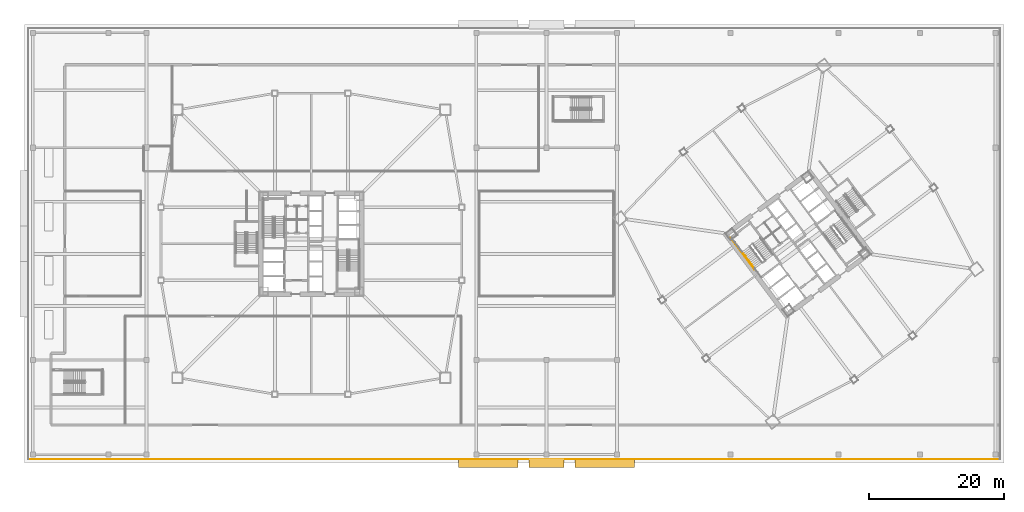
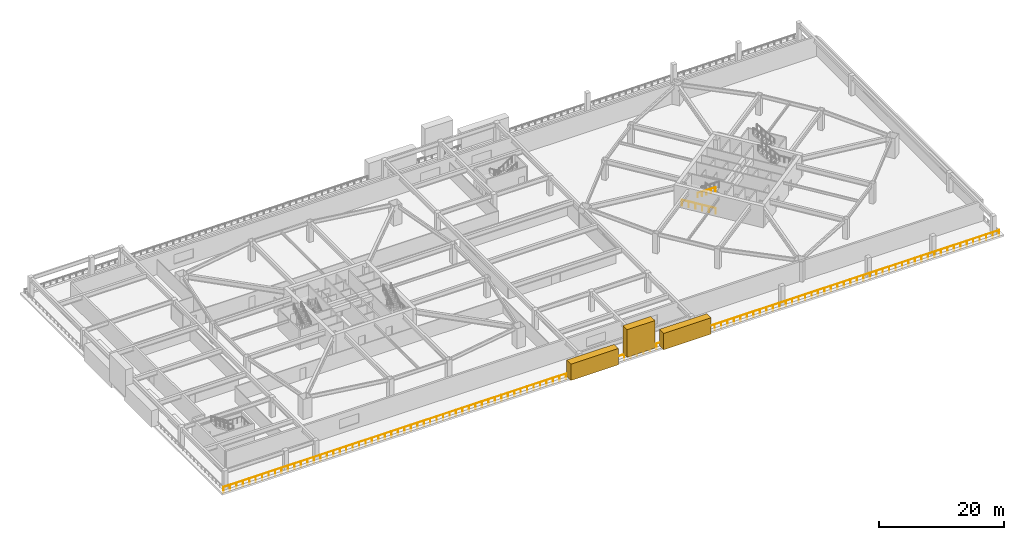
# One storey, part 16 of 20: 3 coverings, 3 railings.
"""IFC4 building model written with IfcOpenShell, lengths in metres."""

from ifc_helpers import new_model, si_unit, direction, frame, origin, origin_2d, place, context, subcontext, project, spatial, rectangle, extrude, material, layer, layer_set, type_object, element, save


model = new_model("IFC4")

# Units and contexts
model_context = context("Model", 3, precision=1e-05, world=origin(), true_north=direction((0.0, 1.0)))
body_context = subcontext(model_context, "Body", "Model", "MODEL_VIEW")
ifc_project = project(units=[si_unit("LENGTHUNIT", "METRE"), si_unit("AREAUNIT", "SQUARE_METRE"), si_unit("VOLUMEUNIT", "CUBIC_METRE"), si_unit("PLANEANGLEUNIT", "RADIAN"), si_unit("MASSUNIT", "GRAM", prefix="KILO")], contexts=[model_context])

# Site, building, storey
site_placement = place(None, origin())
site = spatial("IfcSite", under=ifc_project, at=site_placement, CompositionType="ELEMENT")
building_placement = place(site_placement, origin())
building = spatial("IfcBuilding", under=site, at=building_placement, Name="Tashvorn Skyway Center", CompositionType="ELEMENT")
storey_placement = place(building_placement, frame((0.0, 0.0, 15.60009765625)))
storey = spatial("IfcBuildingStorey", under=building, at=storey_placement, Name="L03", CompositionType="ELEMENT", Elevation=15.60009765625)

# Coverings
ifc_material_1 = material(Name="Precast concrete C40/50", Category="concrete")
ifc_layer = layer(ifc_material_1, 0.35009765625)
ifc_layer_set = layer_set([ifc_layer], Name="Precast concrete C40/50")
covering_type = type_object("IfcCoveringType", Name="COV-STONE-TRIM", PredefinedType="CLADDING", material=ifc_layer_set)
for number, where, z_axis, x_axis, name in (
    (1, (68.199951171875, -0.419921875, 0.39990234375), (0.0, 0.0, 1.0), (1.0, 0.0, 0.0), "Postmodern Station Split-Pediment SOUTH L"),
    (2, (85.39990234375, -0.419921875, 0.39990234375), (0.0, 0.0, 1.0), (1.0, 0.0, 0.0), "Postmodern Station Split-Pediment SOUTH R"),
):
    element("IfcCovering", number, at=place(storey_placement, frame(where, z_axis=z_axis, x_axis=x_axis)), inside=storey, type_object=covering_type, Name=name, PredefinedType="CLADDING", context=body_context, shape_type="SweptSolid", body=[
        extrude(rectangle(XDim=8.800048828125, YDim=1.35009765625, at=origin_2d()), origin(), (0.0, 0.0, 1.0), 3.199951171875),
    ])
covering_placement = place(storey_placement, frame((76.800048828125, -0.419921875, 1.300048828125), z_axis=(0.0, 0.0, 1.0), x_axis=(1.0, 0.0, 0.0)))
element("IfcCovering", 3, at=covering_placement, inside=storey, type_object=covering_type, Name="Postmodern Station Split-Pediment SOUTH KEY", PredefinedType="CLADDING", context=body_context, shape_type="SweptSolid", body=[
    extrude(rectangle(XDim=5.199951171875, YDim=1.35009765625, at=origin_2d()), origin(), (0.0, 0.0, 1.0), 5.39990234375),
])

# Railings
ifc_material_2 = material(Name="Galvanized steel S355", Category="steel")
railing_type_1 = type_object("IfcRailingType", Name="RAIL-GUARD-1120", PredefinedType="GUARDRAIL", material=ifc_material_2)
railing_1_placement = place(storey_placement, frame((0.1201171875, 0.1201171875, 0.0)))
element("IfcRailing", 4, at=railing_1_placement, inside=storey, type_object=railing_type_1, Name="L03 Stepped Podium Colonnade Terrace Guardrail 01", PredefinedType="GUARDRAIL", context=body_context, shape_type="SweptSolid", body=[
    extrude(rectangle(XDim=0.048095703125, YDim=0.048095703125, at=origin_2d()), frame((0.0, 0.0, 1.09619140625), z_axis=(1.0, 0.0, 0.0), x_axis=(0.0, 1.0, 0.0)), (0.0, 0.0, 1.0), 143.759765625),
    extrude(rectangle(XDim=0.0419921875, YDim=0.0419921875, at=origin_2d()), origin(), (0.0, 0.0, 1.0), 1.072021484375),
    extrude(rectangle(XDim=0.0419921875, YDim=0.0419921875, at=origin_2d()), frame((1.197998046875, 0.0, 0.0)), (0.0, 0.0, 1.0), 1.072021484375),
    extrude(rectangle(XDim=0.0419921875, YDim=0.0419921875, at=origin_2d()), frame((2.39599609375, 0.0, 0.0)), (0.0, 0.0, 1.0), 1.072021484375),
    extrude(rectangle(XDim=0.0419921875, YDim=0.0419921875, at=origin_2d()), frame((3.593994140625, 0.0, 0.0)), (0.0, 0.0, 1.0), 1.072021484375),
    extrude(rectangle(XDim=0.0419921875, YDim=0.0419921875, at=origin_2d()), frame((4.7919921875, 0.0, 0.0)), (0.0, 0.0, 1.0), 1.072021484375),
    extrude(rectangle(XDim=0.0419921875, YDim=0.0419921875, at=origin_2d()), frame((5.989990234375, 0.0, 0.0)), (0.0, 0.0, 1.0), 1.072021484375),
    extrude(rectangle(XDim=0.0419921875, YDim=0.0419921875, at=origin_2d()), frame((7.18798828125, 0.0, 0.0)), (0.0, 0.0, 1.0), 1.072021484375),
    extrude(rectangle(XDim=0.0419921875, YDim=0.0419921875, at=origin_2d()), frame((8.385986328125, 0.0, 0.0)), (0.0, 0.0, 1.0), 1.072021484375),
    extrude(rectangle(XDim=0.0419921875, YDim=0.0419921875, at=origin_2d()), frame((9.583984375, 0.0, 0.0)), (0.0, 0.0, 1.0), 1.072021484375),
    extrude(rectangle(XDim=0.0419921875, YDim=0.0419921875, at=origin_2d()), frame((10.781982421875, 0.0, 0.0)), (0.0, 0.0, 1.0), 1.072021484375),
    extrude(rectangle(XDim=0.0419921875, YDim=0.0419921875, at=origin_2d()), frame((11.97998046875, 0.0, 0.0)), (0.0, 0.0, 1.0), 1.072021484375),
    extrude(rectangle(XDim=0.0419921875, YDim=0.0419921875, at=origin_2d()), frame((13.177978515625, 0.0, 0.0)), (0.0, 0.0, 1.0), 1.072021484375),
    extrude(rectangle(XDim=0.0419921875, YDim=0.0419921875, at=origin_2d()), frame((14.3759765625, 0.0, 0.0)), (0.0, 0.0, 1.0), 1.072021484375),
    extrude(rectangle(XDim=0.0419921875, YDim=0.0419921875, at=origin_2d()), frame((15.573974609375, 0.0, 0.0)), (0.0, 0.0, 1.0), 1.072021484375),
    extrude(rectangle(XDim=0.0419921875, YDim=0.0419921875, at=origin_2d()), frame((16.77197265625, 0.0, 0.0)), (0.0, 0.0, 1.0), 1.072021484375),
    extrude(rectangle(XDim=0.0419921875, YDim=0.0419921875, at=origin_2d()), frame((17.969970703125, 0.0, 0.0)), (0.0, 0.0, 1.0), 1.072021484375),
    extrude(rectangle(XDim=0.0419921875, YDim=0.0419921875, at=origin_2d()), frame((19.16796875, 0.0, 0.0)), (0.0, 0.0, 1.0), 1.072021484375),
    extrude(rectangle(XDim=0.0419921875, YDim=0.0419921875, at=origin_2d()), frame((20.365966796875, 0.0, 0.0)), (0.0, 0.0, 1.0), 1.072021484375),
    extrude(rectangle(XDim=0.0419921875, YDim=0.0419921875, at=origin_2d()), frame((21.56396484375, 0.0, 0.0)), (0.0, 0.0, 1.0), 1.072021484375),
    extrude(rectangle(XDim=0.0419921875, YDim=0.0419921875, at=origin_2d()), frame((22.761962890625, 0.0, 0.0)), (0.0, 0.0, 1.0), 1.072021484375),
    extrude(rectangle(XDim=0.0419921875, YDim=0.0419921875, at=origin_2d()), frame((23.9599609375, 0.0, 0.0)), (0.0, 0.0, 1.0), 1.072021484375),
    extrude(rectangle(XDim=0.0419921875, YDim=0.0419921875, at=origin_2d()), frame((25.157958984375, 0.0, 0.0)), (0.0, 0.0, 1.0), 1.072021484375),
    extrude(rectangle(XDim=0.0419921875, YDim=0.0419921875, at=origin_2d()), frame((26.35595703125, 0.0, 0.0)), (0.0, 0.0, 1.0), 1.072021484375),
    extrude(rectangle(XDim=0.0419921875, YDim=0.0419921875, at=origin_2d()), frame((27.553955078125, 0.0, 0.0)), (0.0, 0.0, 1.0), 1.072021484375),
    extrude(rectangle(XDim=0.0419921875, YDim=0.0419921875, at=origin_2d()), frame((28.751953125, 0.0, 0.0)), (0.0, 0.0, 1.0), 1.072021484375),
    extrude(rectangle(XDim=0.0419921875, YDim=0.0419921875, at=origin_2d()), frame((29.949951171875, 0.0, 0.0)), (0.0, 0.0, 1.0), 1.072021484375),
    extrude(rectangle(XDim=0.0419921875, YDim=0.0419921875, at=origin_2d()), frame((31.14794921875, 0.0, 0.0)), (0.0, 0.0, 1.0), 1.072021484375),
    extrude(rectangle(XDim=0.0419921875, YDim=0.0419921875, at=origin_2d()), frame((32.345947265625, 0.0, 0.0)), (0.0, 0.0, 1.0), 1.072021484375),
    extrude(rectangle(XDim=0.0419921875, YDim=0.0419921875, at=origin_2d()), frame((33.5439453125, 0.0, 0.0)), (0.0, 0.0, 1.0), 1.072021484375),
    extrude(rectangle(XDim=0.0419921875, YDim=0.0419921875, at=origin_2d()), frame((34.741943359375, 0.0, 0.0)), (0.0, 0.0, 1.0), 1.072021484375),
    extrude(rectangle(XDim=0.0419921875, YDim=0.0419921875, at=origin_2d()), frame((35.93994140625, 0.0, 0.0)), (0.0, 0.0, 1.0), 1.072021484375),
    extrude(rectangle(XDim=0.0419921875, YDim=0.0419921875, at=origin_2d()), frame((37.137939453125, 0.0, 0.0)), (0.0, 0.0, 1.0), 1.072021484375),
    extrude(rectangle(XDim=0.0419921875, YDim=0.0419921875, at=origin_2d()), frame((38.3359375, 0.0, 0.0)), (0.0, 0.0, 1.0), 1.072021484375),
    extrude(rectangle(XDim=0.0419921875, YDim=0.0419921875, at=origin_2d()), frame((39.533935546875, 0.0, 0.0)), (0.0, 0.0, 1.0), 1.072021484375),
    extrude(rectangle(XDim=0.0419921875, YDim=0.0419921875, at=origin_2d()), frame((40.73193359375, 0.0, 0.0)), (0.0, 0.0, 1.0), 1.072021484375),
    extrude(rectangle(XDim=0.0419921875, YDim=0.0419921875, at=origin_2d()), frame((41.929931640625, 0.0, 0.0)), (0.0, 0.0, 1.0), 1.072021484375),
    extrude(rectangle(XDim=0.0419921875, YDim=0.0419921875, at=origin_2d()), frame((43.1279296875, 0.0, 0.0)), (0.0, 0.0, 1.0), 1.072021484375),
    extrude(rectangle(XDim=0.0419921875, YDim=0.0419921875, at=origin_2d()), frame((44.325927734375, 0.0, 0.0)), (0.0, 0.0, 1.0), 1.072021484375),
    extrude(rectangle(XDim=0.0419921875, YDim=0.0419921875, at=origin_2d()), frame((45.52392578125, 0.0, 0.0)), (0.0, 0.0, 1.0), 1.072021484375),
    extrude(rectangle(XDim=0.0419921875, YDim=0.0419921875, at=origin_2d()), frame((46.721923828125, 0.0, 0.0)), (0.0, 0.0, 1.0), 1.072021484375),
    extrude(rectangle(XDim=0.0419921875, YDim=0.0419921875, at=origin_2d()), frame((47.919921875, 0.0, 0.0)), (0.0, 0.0, 1.0), 1.072021484375),
    extrude(rectangle(XDim=0.0419921875, YDim=0.0419921875, at=origin_2d()), frame((49.117919921875, 0.0, 0.0)), (0.0, 0.0, 1.0), 1.072021484375),
    extrude(rectangle(XDim=0.0419921875, YDim=0.0419921875, at=origin_2d()), frame((50.31591796875, 0.0, 0.0)), (0.0, 0.0, 1.0), 1.072021484375),
    extrude(rectangle(XDim=0.0419921875, YDim=0.0419921875, at=origin_2d()), frame((51.513916015625, 0.0, 0.0)), (0.0, 0.0, 1.0), 1.072021484375),
    extrude(rectangle(XDim=0.0419921875, YDim=0.0419921875, at=origin_2d()), frame((52.7119140625, 0.0, 0.0)), (0.0, 0.0, 1.0), 1.072021484375),
    extrude(rectangle(XDim=0.0419921875, YDim=0.0419921875, at=origin_2d()), frame((53.909912109375, 0.0, 0.0)), (0.0, 0.0, 1.0), 1.072021484375),
    extrude(rectangle(XDim=0.0419921875, YDim=0.0419921875, at=origin_2d()), frame((55.10791015625, 0.0, 0.0)), (0.0, 0.0, 1.0), 1.072021484375),
    extrude(rectangle(XDim=0.0419921875, YDim=0.0419921875, at=origin_2d()), frame((56.305908203125, 0.0, 0.0)), (0.0, 0.0, 1.0), 1.072021484375),
    extrude(rectangle(XDim=0.0419921875, YDim=0.0419921875, at=origin_2d()), frame((57.50390625, 0.0, 0.0)), (0.0, 0.0, 1.0), 1.072021484375),
    extrude(rectangle(XDim=0.0419921875, YDim=0.0419921875, at=origin_2d()), frame((58.701904296875, 0.0, 0.0)), (0.0, 0.0, 1.0), 1.072021484375),
    extrude(rectangle(XDim=0.0419921875, YDim=0.0419921875, at=origin_2d()), frame((59.89990234375, 0.0, 0.0)), (0.0, 0.0, 1.0), 1.072021484375),
    extrude(rectangle(XDim=0.0419921875, YDim=0.0419921875, at=origin_2d()), frame((61.097900390625, 0.0, 0.0)), (0.0, 0.0, 1.0), 1.072021484375),
    extrude(rectangle(XDim=0.0419921875, YDim=0.0419921875, at=origin_2d()), frame((62.2958984375, 0.0, 0.0)), (0.0, 0.0, 1.0), 1.072021484375),
    extrude(rectangle(XDim=0.0419921875, YDim=0.0419921875, at=origin_2d()), frame((63.493896484375, 0.0, 0.0)), (0.0, 0.0, 1.0), 1.072021484375),
    extrude(rectangle(XDim=0.0419921875, YDim=0.0419921875, at=origin_2d()), frame((64.69189453125, 0.0, 0.0)), (0.0, 0.0, 1.0), 1.072021484375),
    extrude(rectangle(XDim=0.0419921875, YDim=0.0419921875, at=origin_2d()), frame((65.889892578125, 0.0, 0.0)), (0.0, 0.0, 1.0), 1.072021484375),
    extrude(rectangle(XDim=0.0419921875, YDim=0.0419921875, at=origin_2d()), frame((67.087890625, 0.0, 0.0)), (0.0, 0.0, 1.0), 1.072021484375),
    extrude(rectangle(XDim=0.0419921875, YDim=0.0419921875, at=origin_2d()), frame((68.285888671875, 0.0, 0.0)), (0.0, 0.0, 1.0), 1.072021484375),
    extrude(rectangle(XDim=0.0419921875, YDim=0.0419921875, at=origin_2d()), frame((69.48388671875, 0.0, 0.0)), (0.0, 0.0, 1.0), 1.072021484375),
    extrude(rectangle(XDim=0.0419921875, YDim=0.0419921875, at=origin_2d()), frame((70.681884765625, 0.0, 0.0)), (0.0, 0.0, 1.0), 1.072021484375),
    extrude(rectangle(XDim=0.0419921875, YDim=0.0419921875, at=origin_2d()), frame((71.8798828125, 0.0, 0.0)), (0.0, 0.0, 1.0), 1.072021484375),
    extrude(rectangle(XDim=0.0419921875, YDim=0.0419921875, at=origin_2d()), frame((73.077880859375, 0.0, 0.0)), (0.0, 0.0, 1.0), 1.072021484375),
    extrude(rectangle(XDim=0.0419921875, YDim=0.0419921875, at=origin_2d()), frame((74.27587890625, 0.0, 0.0)), (0.0, 0.0, 1.0), 1.072021484375),
    extrude(rectangle(XDim=0.0419921875, YDim=0.0419921875, at=origin_2d()), frame((75.473876953125, 0.0, 0.0)), (0.0, 0.0, 1.0), 1.072021484375),
    extrude(rectangle(XDim=0.0419921875, YDim=0.0419921875, at=origin_2d()), frame((76.671875, 0.0, 0.0)), (0.0, 0.0, 1.0), 1.072021484375),
    extrude(rectangle(XDim=0.0419921875, YDim=0.0419921875, at=origin_2d()), frame((77.869873046875, 0.0, 0.0)), (0.0, 0.0, 1.0), 1.072021484375),
    extrude(rectangle(XDim=0.0419921875, YDim=0.0419921875, at=origin_2d()), frame((79.06787109375, 0.0, 0.0)), (0.0, 0.0, 1.0), 1.072021484375),
    extrude(rectangle(XDim=0.0419921875, YDim=0.0419921875, at=origin_2d()), frame((80.265869140625, 0.0, 0.0)), (0.0, 0.0, 1.0), 1.072021484375),
    extrude(rectangle(XDim=0.0419921875, YDim=0.0419921875, at=origin_2d()), frame((81.4638671875, 0.0, 0.0)), (0.0, 0.0, 1.0), 1.072021484375),
    extrude(rectangle(XDim=0.0419921875, YDim=0.0419921875, at=origin_2d()), frame((82.661865234375, 0.0, 0.0)), (0.0, 0.0, 1.0), 1.072021484375),
    extrude(rectangle(XDim=0.0419921875, YDim=0.0419921875, at=origin_2d()), frame((83.85986328125, 0.0, 0.0)), (0.0, 0.0, 1.0), 1.072021484375),
    extrude(rectangle(XDim=0.0419921875, YDim=0.0419921875, at=origin_2d()), frame((85.057861328125, 0.0, 0.0)), (0.0, 0.0, 1.0), 1.072021484375),
    extrude(rectangle(XDim=0.0419921875, YDim=0.0419921875, at=origin_2d()), frame((86.255859375, 0.0, 0.0)), (0.0, 0.0, 1.0), 1.072021484375),
    extrude(rectangle(XDim=0.0419921875, YDim=0.0419921875, at=origin_2d()), frame((87.453857421875, 0.0, 0.0)), (0.0, 0.0, 1.0), 1.072021484375),
    extrude(rectangle(XDim=0.0419921875, YDim=0.0419921875, at=origin_2d()), frame((88.65185546875, 0.0, 0.0)), (0.0, 0.0, 1.0), 1.072021484375),
    extrude(rectangle(XDim=0.0419921875, YDim=0.0419921875, at=origin_2d()), frame((89.849853515625, 0.0, 0.0)), (0.0, 0.0, 1.0), 1.072021484375),
    extrude(rectangle(XDim=0.0419921875, YDim=0.0419921875, at=origin_2d()), frame((91.0478515625, 0.0, 0.0)), (0.0, 0.0, 1.0), 1.072021484375),
    extrude(rectangle(XDim=0.0419921875, YDim=0.0419921875, at=origin_2d()), frame((92.245849609375, 0.0, 0.0)), (0.0, 0.0, 1.0), 1.072021484375),
    extrude(rectangle(XDim=0.0419921875, YDim=0.0419921875, at=origin_2d()), frame((93.44384765625, 0.0, 0.0)), (0.0, 0.0, 1.0), 1.072021484375),
    extrude(rectangle(XDim=0.0419921875, YDim=0.0419921875, at=origin_2d()), frame((94.641845703125, 0.0, 0.0)), (0.0, 0.0, 1.0), 1.072021484375),
    extrude(rectangle(XDim=0.0419921875, YDim=0.0419921875, at=origin_2d()), frame((95.83984375, 0.0, 0.0)), (0.0, 0.0, 1.0), 1.072021484375),
    extrude(rectangle(XDim=0.0419921875, YDim=0.0419921875, at=origin_2d()), frame((97.037841796875, 0.0, 0.0)), (0.0, 0.0, 1.0), 1.072021484375),
    extrude(rectangle(XDim=0.0419921875, YDim=0.0419921875, at=origin_2d()), frame((98.23583984375, 0.0, 0.0)), (0.0, 0.0, 1.0), 1.072021484375),
    extrude(rectangle(XDim=0.0419921875, YDim=0.0419921875, at=origin_2d()), frame((99.433837890625, 0.0, 0.0)), (0.0, 0.0, 1.0), 1.072021484375),
    extrude(rectangle(XDim=0.0419921875, YDim=0.0419921875, at=origin_2d()), frame((100.6318359375, 0.0, 0.0)), (0.0, 0.0, 1.0), 1.072021484375),
    extrude(rectangle(XDim=0.0419921875, YDim=0.0419921875, at=origin_2d()), frame((101.829833984375, 0.0, 0.0)), (0.0, 0.0, 1.0), 1.072021484375),
    extrude(rectangle(XDim=0.0419921875, YDim=0.0419921875, at=origin_2d()), frame((103.02783203125, 0.0, 0.0)), (0.0, 0.0, 1.0), 1.072021484375),
    extrude(rectangle(XDim=0.0419921875, YDim=0.0419921875, at=origin_2d()), frame((104.225830078125, 0.0, 0.0)), (0.0, 0.0, 1.0), 1.072021484375),
    extrude(rectangle(XDim=0.0419921875, YDim=0.0419921875, at=origin_2d()), frame((105.423828125, 0.0, 0.0)), (0.0, 0.0, 1.0), 1.072021484375),
    extrude(rectangle(XDim=0.0419921875, YDim=0.0419921875, at=origin_2d()), frame((106.621826171875, 0.0, 0.0)), (0.0, 0.0, 1.0), 1.072021484375),
    extrude(rectangle(XDim=0.0419921875, YDim=0.0419921875, at=origin_2d()), frame((107.81982421875, 0.0, 0.0)), (0.0, 0.0, 1.0), 1.072021484375),
    extrude(rectangle(XDim=0.0419921875, YDim=0.0419921875, at=origin_2d()), frame((109.017822265625, 0.0, 0.0)), (0.0, 0.0, 1.0), 1.072021484375),
    extrude(rectangle(XDim=0.0419921875, YDim=0.0419921875, at=origin_2d()), frame((110.2158203125, 0.0, 0.0)), (0.0, 0.0, 1.0), 1.072021484375),
    extrude(rectangle(XDim=0.0419921875, YDim=0.0419921875, at=origin_2d()), frame((111.413818359375, 0.0, 0.0)), (0.0, 0.0, 1.0), 1.072021484375),
    extrude(rectangle(XDim=0.0419921875, YDim=0.0419921875, at=origin_2d()), frame((112.61181640625, 0.0, 0.0)), (0.0, 0.0, 1.0), 1.072021484375),
    extrude(rectangle(XDim=0.0419921875, YDim=0.0419921875, at=origin_2d()), frame((113.809814453125, 0.0, 0.0)), (0.0, 0.0, 1.0), 1.072021484375),
    extrude(rectangle(XDim=0.0419921875, YDim=0.0419921875, at=origin_2d()), frame((115.0078125, 0.0, 0.0)), (0.0, 0.0, 1.0), 1.072021484375),
    extrude(rectangle(XDim=0.0419921875, YDim=0.0419921875, at=origin_2d()), frame((116.205810546875, 0.0, 0.0)), (0.0, 0.0, 1.0), 1.072021484375),
    extrude(rectangle(XDim=0.0419921875, YDim=0.0419921875, at=origin_2d()), frame((117.40380859375, 0.0, 0.0)), (0.0, 0.0, 1.0), 1.072021484375),
    extrude(rectangle(XDim=0.0419921875, YDim=0.0419921875, at=origin_2d()), frame((118.601806640625, 0.0, 0.0)), (0.0, 0.0, 1.0), 1.072021484375),
    extrude(rectangle(XDim=0.0419921875, YDim=0.0419921875, at=origin_2d()), frame((119.7998046875, 0.0, 0.0)), (0.0, 0.0, 1.0), 1.072021484375),
    extrude(rectangle(XDim=0.0419921875, YDim=0.0419921875, at=origin_2d()), frame((120.997802734375, 0.0, 0.0)), (0.0, 0.0, 1.0), 1.072021484375),
    extrude(rectangle(XDim=0.0419921875, YDim=0.0419921875, at=origin_2d()), frame((122.19580078125, 0.0, 0.0)), (0.0, 0.0, 1.0), 1.072021484375),
    extrude(rectangle(XDim=0.0419921875, YDim=0.0419921875, at=origin_2d()), frame((123.393798828125, 0.0, 0.0)), (0.0, 0.0, 1.0), 1.072021484375),
    extrude(rectangle(XDim=0.0419921875, YDim=0.0419921875, at=origin_2d()), frame((124.591796875, 0.0, 0.0)), (0.0, 0.0, 1.0), 1.072021484375),
    extrude(rectangle(XDim=0.0419921875, YDim=0.0419921875, at=origin_2d()), frame((125.789794921875, 0.0, 0.0)), (0.0, 0.0, 1.0), 1.072021484375),
    extrude(rectangle(XDim=0.0419921875, YDim=0.0419921875, at=origin_2d()), frame((126.98779296875, 0.0, 0.0)), (0.0, 0.0, 1.0), 1.072021484375),
    extrude(rectangle(XDim=0.0419921875, YDim=0.0419921875, at=origin_2d()), frame((128.185791015625, 0.0, 0.0)), (0.0, 0.0, 1.0), 1.072021484375),
    extrude(rectangle(XDim=0.0419921875, YDim=0.0419921875, at=origin_2d()), frame((129.3837890625, 0.0, 0.0)), (0.0, 0.0, 1.0), 1.072021484375),
    extrude(rectangle(XDim=0.0419921875, YDim=0.0419921875, at=origin_2d()), frame((130.581787109375, 0.0, 0.0)), (0.0, 0.0, 1.0), 1.072021484375),
    extrude(rectangle(XDim=0.0419921875, YDim=0.0419921875, at=origin_2d()), frame((131.77978515625, 0.0, 0.0)), (0.0, 0.0, 1.0), 1.072021484375),
    extrude(rectangle(XDim=0.0419921875, YDim=0.0419921875, at=origin_2d()), frame((132.977783203125, 0.0, 0.0)), (0.0, 0.0, 1.0), 1.072021484375),
    extrude(rectangle(XDim=0.0419921875, YDim=0.0419921875, at=origin_2d()), frame((134.17578125, 0.0, 0.0)), (0.0, 0.0, 1.0), 1.072021484375),
    extrude(rectangle(XDim=0.0419921875, YDim=0.0419921875, at=origin_2d()), frame((135.373779296875, 0.0, 0.0)), (0.0, 0.0, 1.0), 1.072021484375),
    extrude(rectangle(XDim=0.0419921875, YDim=0.0419921875, at=origin_2d()), frame((136.57177734375, 0.0, 0.0)), (0.0, 0.0, 1.0), 1.072021484375),
    extrude(rectangle(XDim=0.0419921875, YDim=0.0419921875, at=origin_2d()), frame((137.769775390625, 0.0, 0.0)), (0.0, 0.0, 1.0), 1.072021484375),
    extrude(rectangle(XDim=0.0419921875, YDim=0.0419921875, at=origin_2d()), frame((138.9677734375, 0.0, 0.0)), (0.0, 0.0, 1.0), 1.072021484375),
    extrude(rectangle(XDim=0.0419921875, YDim=0.0419921875, at=origin_2d()), frame((140.165771484375, 0.0, 0.0)), (0.0, 0.0, 1.0), 1.072021484375),
    extrude(rectangle(XDim=0.0419921875, YDim=0.0419921875, at=origin_2d()), frame((141.36376953125, 0.0, 0.0)), (0.0, 0.0, 1.0), 1.072021484375),
    extrude(rectangle(XDim=0.0419921875, YDim=0.0419921875, at=origin_2d()), frame((142.561767578125, 0.0, 0.0)), (0.0, 0.0, 1.0), 1.072021484375),
    extrude(rectangle(XDim=0.0419921875, YDim=0.0419921875, at=origin_2d()), frame((143.759765625, 0.0, 0.0)), (0.0, 0.0, 1.0), 1.072021484375),
])
ifc_material_3 = material(Name="Brushed stainless steel 316", Category="steel")
railing_type_2 = type_object("IfcRailingType", Name="RAIL-HAND-920", PredefinedType="HANDRAIL", material=ifc_material_3)
railing_2_placement = place(storey_placement, frame((105.736083984375, 30.802001953125, 2.27490234375)))
element("IfcRailing", 5, at=railing_2_placement, inside=storey, type_object=railing_type_2, Name="L03 ST-T2-1 stair handrail 2", PredefinedType="HANDRAIL", context=body_context, shape_type="SweptSolid", body=[
    extrude(rectangle(XDim=0.048095703125, YDim=0.048095703125, at=origin_2d()), frame((0.0, 0.0, 0.8759765625), z_axis=(0.508764452144, -0.678419819724, 0.530004981524), x_axis=(0.800028534741, 0.599961951794, 0.0)), (0.0, 0.0, 1.0), 3.632080078125),
    extrude(rectangle(XDim=0.0419921875, YDim=0.0419921875, at=origin_2d()), origin(), (0.0, 0.0, 1.0), 0.851806640625),
    extrude(rectangle(XDim=0.0419921875, YDim=0.0419921875, at=origin_2d()), frame((0.4619140625, -0.615966796875, 0.481201171875)), (0.0, 0.0, 1.0), 0.851806640625),
    extrude(rectangle(XDim=0.0419921875, YDim=0.0419921875, at=origin_2d()), frame((0.923828125, -1.23193359375, 0.96240234375)), (0.0, 0.0, 1.0), 0.851806640625),
    extrude(rectangle(XDim=0.0419921875, YDim=0.0419921875, at=origin_2d()), frame((1.385986328125, -1.84814453125, 1.44384765625)), (0.0, 0.0, 1.0), 0.851806640625),
    extrude(rectangle(XDim=0.0419921875, YDim=0.0419921875, at=origin_2d()), frame((1.847900390625, -2.464111328125, 1.925048828125)), (0.0, 0.0, 1.0), 0.851806640625),
])
ifc_material_4 = material(Name="Painted galvanized steel S355", Category="steel")
railing_type_3 = type_object("IfcRailingType", Name="RAIL-STGUARD-1100", PredefinedType="GUARDRAIL", material=ifc_material_4)
railing_3_placement = place(storey_placement, frame((107.56396484375, 28.197998046875, 0.0)))
element("IfcRailing", 6, at=railing_3_placement, inside=storey, type_object=railing_type_3, Name="L03 ST-T2-1 stair guard 7", PredefinedType="GUARDRAIL", context=body_context, shape_type="SweptSolid", body=[
    extrude(rectangle(XDim=0.048095703125, YDim=0.048095703125, at=origin_2d()), frame((0.0, 0.0, 1.076171875), z_axis=(-0.6, 0.8, 0.0), x_axis=(-0.8, -0.6, 0.0)), (0.0, 0.0, 1.0), 5.880126953125),
    extrude(rectangle(XDim=0.0419921875, YDim=0.0419921875, at=origin_2d()), origin(), (0.0, 0.0, 1.0), 1.052001953125),
    extrude(rectangle(XDim=0.0419921875, YDim=0.0419921875, at=origin_2d()), frame((-0.70556640625, 0.94091796875, 0.0)), (0.0, 0.0, 1.0), 1.052001953125),
    extrude(rectangle(XDim=0.0419921875, YDim=0.0419921875, at=origin_2d()), frame((-1.4111328125, 1.881591796875, 0.0)), (0.0, 0.0, 1.0), 1.052001953125),
    extrude(rectangle(XDim=0.0419921875, YDim=0.0419921875, at=origin_2d()), frame((-2.116943359375, 2.822509765625, 0.0)), (0.0, 0.0, 1.0), 1.052001953125),
    extrude(rectangle(XDim=0.0419921875, YDim=0.0419921875, at=origin_2d()), frame((-2.822509765625, 3.76318359375, 0.0)), (0.0, 0.0, 1.0), 1.052001953125),
    extrude(rectangle(XDim=0.0419921875, YDim=0.0419921875, at=origin_2d()), frame((-3.528076171875, 4.7041015625, 0.0)), (0.0, 0.0, 1.0), 1.052001953125),
])

save(model, "model.ifc")
